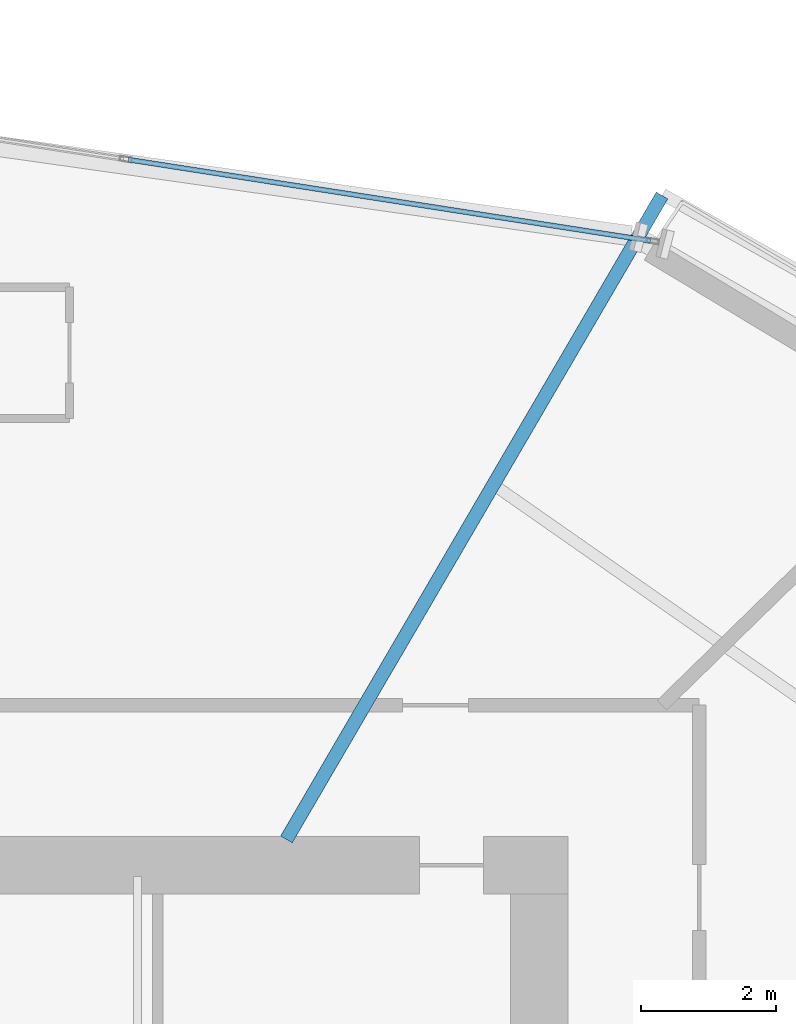
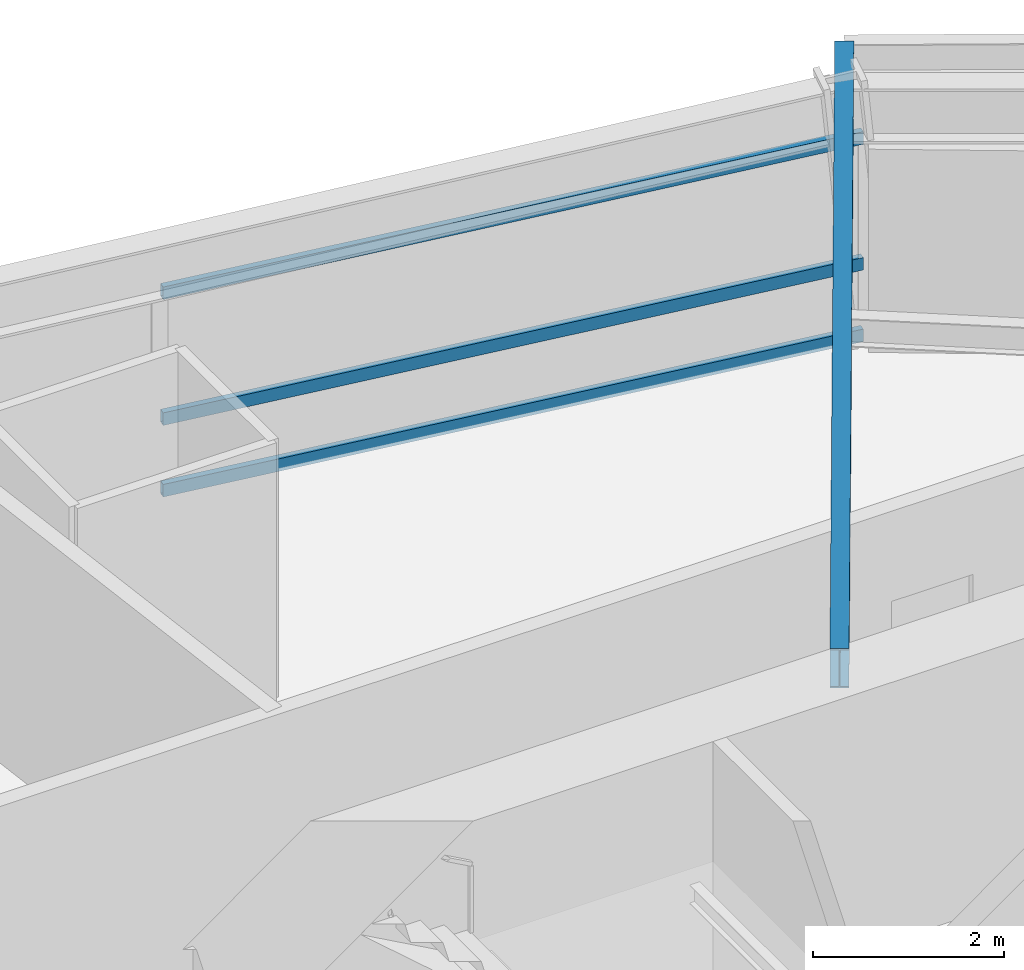
# One storey, part 11 of 22: 3 members, 1 beam, 1 element without a shape of its own.
"""IFC4 building model written with IfcOpenShell, lengths in metres."""

from ifc_helpers import new_model, si_unit, direction, frame, origin, origin_2d, place, context, subcontext, project, spatial, hollow_rectangle, i_section, extrude, source, transform, mapped, material, material_profile, profile_set, type_object, element, aggregate, save


model = new_model("IFC4")

# Units and contexts
model_context = context("Model", 3, precision=1e-05, world=origin(), true_north=direction((0.0, 1.0)))
body_context = subcontext(model_context, "Body", "Model", "MODEL_VIEW")
ifc_project = project(units=[si_unit("LENGTHUNIT", "METRE"), si_unit("AREAUNIT", "SQUARE_METRE"), si_unit("VOLUMEUNIT", "CUBIC_METRE"), si_unit("PLANEANGLEUNIT", "RADIAN"), si_unit("MASSUNIT", "GRAM", prefix="KILO")], contexts=[model_context])

# Site, building, storey
site_placement = place(None, origin())
site = spatial("IfcSite", under=ifc_project, at=site_placement, CompositionType="ELEMENT")
building_placement = place(site_placement, origin())
building = spatial("IfcBuilding", under=site, at=building_placement, Name="Olszyna Solenne Hotel", CompositionType="ELEMENT")
storey_placement = place(building_placement, frame((0.0, 0.0, 50.60009765625)))
storey = spatial("IfcBuildingStorey", under=building, at=storey_placement, Name="L12", CompositionType="ELEMENT", Elevation=50.60009765625)

# Beam
ifc_material_1 = material(Name="Steel S355J2", Category="steel")
ifc_material_profile_1 = material_profile(ifc_material_1, i_section(OverallWidth=0.199951171875, OverallDepth=0.5, WebThickness=0.01025390625, FlangeThickness=0.01611328125, at=origin_2d()), Name="IPE 500", Category="load-bearing")
ifc_profile_set_1 = profile_set([ifc_material_profile_1], Name="Steel S355J2")
beam_type = type_object("IfcBeamType", Name="BM-F3", PredefinedType="BEAM", material=ifc_profile_set_1)
shared_shape_1 = source(origin(), body_context, "Body", "SweptSolid", [
    extrude(i_section(OverallWidth=0.199951171875, OverallDepth=0.5, WebThickness=0.01025390625, FlangeThickness=0.01611328125, at=origin_2d()), origin(), (0.0, 0.0, 1.0), 11.067138671875),
])
beam_placement = place(storey_placement, frame((48.148193359375, 44.06591796875, 3.0498046875), z_axis=(-0.503897085946, -0.863763698459, 0.0), x_axis=(0.863763698459, -0.503897085946, 0.0)))
element("IfcBeam", 1, at=beam_placement, inside=storey, type_object=beam_type, Name="Radial floor girder BM-F3 B-L12-0391", PredefinedType="BEAM", context=body_context, shape_type="MappedRepresentation", body=[
    mapped(shared_shape_1, transform((0.0, 0.0, 0.0), x_axis=(1.0, 0.0, 0.0), y_axis=(0.0, 1.0, 0.0), z_axis=(0.0, 0.0, 1.0), scale=1.0)),
])

# Curtain wall, members
ifc_material_2 = material(Name="Anodised bronze aluminium", Category="aluminium")
curtain_wall_type = type_object("IfcCurtainWallType", Name="CW-SYS-2", PredefinedType="NOTDEFINED", material=ifc_material_2)
curtain_wall_placement = place(storey_placement, origin())
curtain_wall = element("IfcCurtainWall", 2, at=curtain_wall_placement, inside=storey, type_object=curtain_wall_type, Name="Unitised curtain wall CW-SYS-2 CW-L12-02", PredefinedType="NOTDEFINED")
ifc_material_profile_2 = material_profile(ifc_material_2, hollow_rectangle(XDim=0.074951171875, YDim=0.159912109375, WallThickness=0.00390625, at=origin_2d()), Name="TRAN 160x75x4", Category="load-bearing")
ifc_profile_set_2 = profile_set([ifc_material_profile_2], Name="Anodised bronze aluminium")
member_type = type_object("IfcMemberType", Name="CW-T1", PredefinedType="USERDEFINED", material=ifc_profile_set_2)
shared_shape_2 = source(origin(), body_context, "Body", "SweptSolid", [
    extrude(hollow_rectangle(XDim=0.074951171875, YDim=0.159912109375, WallThickness=0.00390625, at=origin_2d()), origin(), (0.0, 0.0, 1.0), 7.84326171875),
])
member_1_placement = place(storey_placement, frame((40.225341796875, 44.598876953125, 0.037353515625), z_axis=(0.988120986112, -0.153677964605, 0.0), x_axis=(0.153677964605, 0.988120986112, 0.0)))
member_1 = element("IfcMember", 3, at=member_1_placement, type_object=member_type, Name="Curtain-wall transom CW-T1 CT-L12-02-07", ObjectType="TRANSOM", PredefinedType="USERDEFINED", context=body_context, shape_type="MappedRepresentation", body=[
    mapped(shared_shape_2, transform((0.0, 0.0, 0.0), x_axis=(1.0, 0.0, 0.0), y_axis=(0.0, 1.0, 0.0), z_axis=(0.0, 0.0, 1.0), scale=1.0)),
])
member_2_placement = place(storey_placement, frame((40.225341796875, 44.598876953125, 0.949951171875), z_axis=(0.988120986112, -0.153677964605, 0.0), x_axis=(0.153677964605, 0.988120986112, 0.0)))
member_2 = element("IfcMember", 4, at=member_2_placement, type_object=member_type, Name="Curtain-wall transom CW-T1 CT-L12-02-08", ObjectType="TRANSOM", PredefinedType="USERDEFINED", context=body_context, shape_type="MappedRepresentation", body=[
    mapped(shared_shape_2, transform((0.0, 0.0, 0.0), x_axis=(1.0, 0.0, 0.0), y_axis=(0.0, 1.0, 0.0), z_axis=(0.0, 0.0, 1.0), scale=1.0)),
])
member_3_placement = place(storey_placement, frame((40.225341796875, 44.598876953125, 2.554443359375), z_axis=(0.988120986112, -0.153677964605, 0.0), x_axis=(0.153677964605, 0.988120986112, 0.0)))
member_3 = element("IfcMember", 5, at=member_3_placement, type_object=member_type, Name="Curtain-wall transom CW-T1 CT-L12-02-09", ObjectType="TRANSOM", PredefinedType="USERDEFINED", context=body_context, shape_type="MappedRepresentation", body=[
    mapped(shared_shape_2, transform((0.0, 0.0, 0.0), x_axis=(1.0, 0.0, 0.0), y_axis=(0.0, 1.0, 0.0), z_axis=(0.0, 0.0, 1.0), scale=1.0)),
])
aggregate(curtain_wall, [member_1, member_2, member_3])

save(model, "model.ifc")
